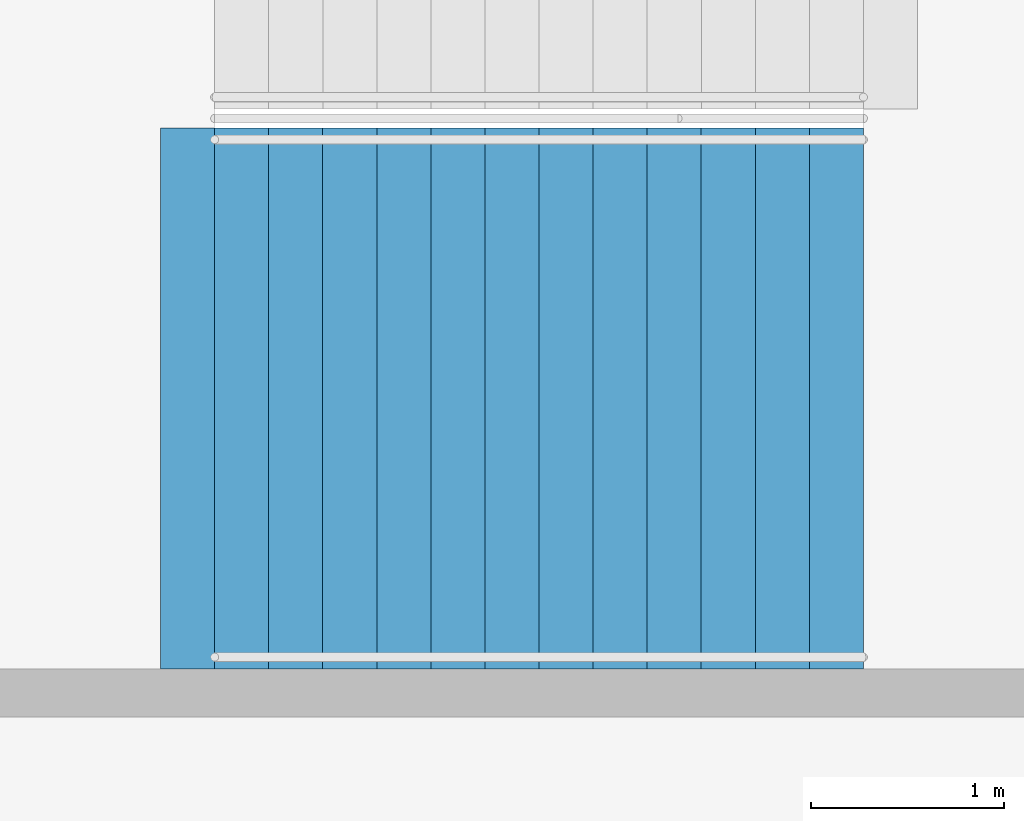
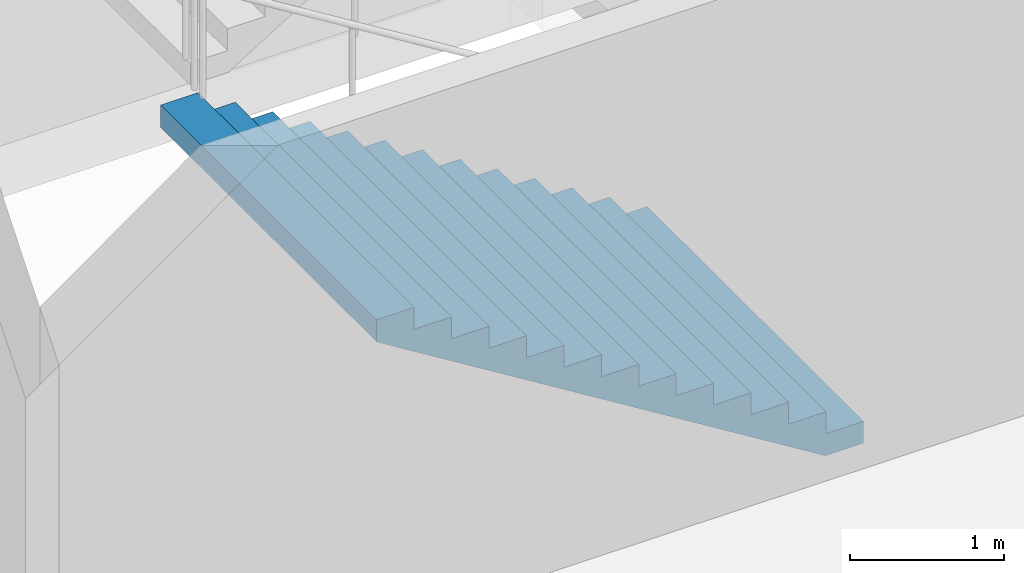
# One storey, part 141 of 249: 1 stair flight, 1 element without a shape of its own.
"""IFC4 building model written with IfcOpenShell, lengths in metres."""

from ifc_helpers import new_model, si_unit, direction, frame, origin, place, context, subcontext, project, spatial, faceted_brep, material, type_object, element, aggregate, save


model = new_model("IFC4")

# Units and contexts
model_context = context("Model", 3, precision=1e-05, world=origin(), true_north=direction((0.0, 1.0)))
body_context = subcontext(model_context, "Body", "Model", "MODEL_VIEW")
ifc_project = project(units=[si_unit("LENGTHUNIT", "METRE"), si_unit("AREAUNIT", "SQUARE_METRE"), si_unit("VOLUMEUNIT", "CUBIC_METRE"), si_unit("PLANEANGLEUNIT", "RADIAN"), si_unit("MASSUNIT", "GRAM", prefix="KILO")], contexts=[model_context])

# Site, building, storey
site_placement = place(None, origin())
site = spatial("IfcSite", under=ifc_project, at=site_placement, CompositionType="ELEMENT")
building_placement = place(site_placement, origin())
building = spatial("IfcBuilding", under=site, at=building_placement, Name="Ogive Plaza Stadium", CompositionType="ELEMENT")
storey_placement = place(building_placement, frame((0.0, 0.0, 13.5)))
storey = spatial("IfcBuildingStorey", under=building, at=storey_placement, Name="L03", CompositionType="ELEMENT", Elevation=13.5)

# Stair, stair flight
ifc_material_1 = material(Name="Concrete C40/50", Category="concrete")
stair_type = type_object("IfcStairType", Name="Exit stair", PredefinedType="STRAIGHT_RUN_STAIR", material=ifc_material_1)
stair_placement = place(storey_placement, origin())
stair = element("IfcStair", 1, at=stair_placement, inside=storey, type_object=stair_type, Name="Exit stair ST22B L03 to L04", PredefinedType="STRAIGHT_RUN_STAIR")
ifc_material_2 = material(Name="Concrete C40/50", Category="concrete")
stair_flight_type = type_object("IfcStairFlightType", Name="Exit stair flight", PredefinedType="STRAIGHT", material=ifc_material_2)
stair_flight_placement = place(storey_placement, frame((-76.35009765625, -41.925048828125, 0.0), z_axis=(0.0, 0.0, 1.0), x_axis=(-1.0, 0.0, 0.0)))
stair_flight = element("IfcStairFlight", 2, at=stair_flight_placement, type_object=stair_flight_type, Name="ST22B flight 1", NumberOfRisers=13, NumberOfTreads=12, PredefinedType="STRAIGHT", RiserHeight=0.173076923, TreadLength=0.28, context=body_context, shape_type="Brep", body=[
    faceted_brep([(0.28515625, -1.39990234375, 0.0), (3.639892578125, -1.39990234375, 2.07373046875), (3.639892578125, -1.39990234375, 2.25), (3.360107421875, -1.39990234375, 2.25), (3.360107421875, -1.39990234375, 2.076904296875), (3.080078125, -1.39990234375, 2.076904296875), (3.080078125, -1.39990234375, 1.90380859375), (2.800048828125, -1.39990234375, 1.90380859375), (2.800048828125, -1.39990234375, 1.730712890625), (2.52001953125, -1.39990234375, 1.730712890625), (2.52001953125, -1.39990234375, 1.5576171875), (2.239990234375, -1.39990234375, 1.5576171875), (2.239990234375, -1.39990234375, 1.384521484375), (1.9599609375, -1.39990234375, 1.384521484375), (1.9599609375, -1.39990234375, 1.21142578125), (1.679931640625, -1.39990234375, 1.21142578125), (1.679931640625, -1.39990234375, 1.03857421875), (1.39990234375, -1.39990234375, 1.03857421875), (1.39990234375, -1.39990234375, 0.865478515625), (1.1201171875, -1.39990234375, 0.865478515625), (1.1201171875, -1.39990234375, 0.6923828125), (0.840087890625, -1.39990234375, 0.6923828125), (0.840087890625, -1.39990234375, 0.519287109375), (0.56005859375, -1.39990234375, 0.519287109375), (0.56005859375, -1.39990234375, 0.34619140625), (0.280029296875, -1.39990234375, 0.34619140625), (0.280029296875, -1.39990234375, 0.173095703125), (0.0, -1.39990234375, 0.173095703125), (0.0, -1.39990234375, 0.0), (0.0, 1.39990234375, 0.0), (0.0, 1.39990234375, 0.173095703125), (0.280029296875, 1.39990234375, 0.173095703125), (0.280029296875, 1.39990234375, 0.34619140625), (0.56005859375, 1.39990234375, 0.34619140625), (0.56005859375, 1.39990234375, 0.519287109375), (0.840087890625, 1.39990234375, 0.519287109375), (0.840087890625, 1.39990234375, 0.6923828125), (1.1201171875, 1.39990234375, 0.6923828125), (1.1201171875, 1.39990234375, 0.865478515625), (1.39990234375, 1.39990234375, 0.865478515625), (1.39990234375, 1.39990234375, 1.03857421875), (1.679931640625, 1.39990234375, 1.03857421875), (1.679931640625, 1.39990234375, 1.21142578125), (1.9599609375, 1.39990234375, 1.21142578125), (1.9599609375, 1.39990234375, 1.384521484375), (2.239990234375, 1.39990234375, 1.384521484375), (2.239990234375, 1.39990234375, 1.5576171875), (2.52001953125, 1.39990234375, 1.5576171875), (2.52001953125, 1.39990234375, 1.730712890625), (2.800048828125, 1.39990234375, 1.730712890625), (2.800048828125, 1.39990234375, 1.90380859375), (3.080078125, 1.39990234375, 1.90380859375), (3.080078125, 1.39990234375, 2.076904296875), (3.360107421875, 1.39990234375, 2.076904296875), (3.360107421875, 1.39990234375, 2.25), (3.639892578125, 1.39990234375, 2.25), (3.639892578125, 1.39990234375, 2.07373046875), (0.28515625, 1.39990234375, 0.0), (0.28515625, -1.0888671875, 0.0), (3.639892578125, -1.0888671875, 2.07373046875), (0.28515625, -0.77783203125, 0.0), (3.639892578125, -0.77783203125, 2.07373046875), (0.28515625, -0.466796875, 0.0), (3.639892578125, -0.466796875, 2.07373046875), (0.28515625, -0.155517578125, 0.0), (3.639892578125, -0.155517578125, 2.07373046875), (0.28515625, 0.155517578125, 0.0), (3.639892578125, 0.155517578125, 2.07373046875), (0.28515625, 0.466796875, 0.0), (3.639892578125, 0.466796875, 2.07373046875), (0.28515625, 0.77783203125, 0.0), (3.639892578125, 0.77783203125, 2.07373046875), (0.28515625, 1.0888671875, 0.0), (3.639892578125, 1.0888671875, 2.07373046875), (3.639892578125, -1.0888671875, 2.25), (3.639892578125, -0.77783203125, 2.25), (3.639892578125, -0.466796875, 2.25), (3.639892578125, -0.155517578125, 2.25), (3.639892578125, 0.155517578125, 2.25), (3.639892578125, 0.466796875, 2.25), (3.639892578125, 0.77783203125, 2.25), (3.639892578125, 1.0888671875, 2.25), (3.360107421875, -1.0888671875, 2.25), (3.360107421875, -0.77783203125, 2.25), (3.360107421875, -0.466796875, 2.25), (3.360107421875, -0.155517578125, 2.25), (3.360107421875, 0.155517578125, 2.25), (3.360107421875, 0.466796875, 2.25), (3.360107421875, 0.77783203125, 2.25), (3.360107421875, 1.0888671875, 2.25), (3.360107421875, -1.0888671875, 2.076904296875), (3.360107421875, -0.77783203125, 2.076904296875), (3.360107421875, -0.466796875, 2.076904296875), (3.360107421875, -0.155517578125, 2.076904296875), (3.360107421875, 0.155517578125, 2.076904296875), (3.360107421875, 0.466796875, 2.076904296875), (3.360107421875, 0.77783203125, 2.076904296875), (3.360107421875, 1.0888671875, 2.076904296875), (3.080078125, -1.0888671875, 2.076904296875), (3.080078125, -0.77783203125, 2.076904296875), (3.080078125, -0.466796875, 2.076904296875), (3.080078125, -0.155517578125, 2.076904296875), (3.080078125, 0.155517578125, 2.076904296875), (3.080078125, 0.466796875, 2.076904296875), (3.080078125, 0.77783203125, 2.076904296875), (3.080078125, 1.0888671875, 2.076904296875), (3.080078125, -1.0888671875, 1.90380859375), (3.080078125, -0.77783203125, 1.90380859375), (3.080078125, -0.466796875, 1.90380859375), (3.080078125, -0.155517578125, 1.90380859375), (3.080078125, 0.155517578125, 1.90380859375), (3.080078125, 0.466796875, 1.90380859375), (3.080078125, 0.77783203125, 1.90380859375), (3.080078125, 1.0888671875, 1.90380859375), (2.800048828125, -1.0888671875, 1.90380859375), (2.800048828125, -0.77783203125, 1.90380859375), (2.800048828125, -0.466796875, 1.90380859375), (2.800048828125, -0.155517578125, 1.90380859375), (2.800048828125, 0.155517578125, 1.90380859375), (2.800048828125, 0.466796875, 1.90380859375), (2.800048828125, 0.77783203125, 1.90380859375), (2.800048828125, 1.0888671875, 1.90380859375), (2.800048828125, -1.0888671875, 1.730712890625), (2.800048828125, -0.77783203125, 1.730712890625), (2.800048828125, -0.466796875, 1.730712890625), (2.800048828125, -0.155517578125, 1.730712890625), (2.800048828125, 0.155517578125, 1.730712890625), (2.800048828125, 0.466796875, 1.730712890625), (2.800048828125, 0.77783203125, 1.730712890625), (2.800048828125, 1.0888671875, 1.730712890625), (2.52001953125, -1.0888671875, 1.730712890625), (2.52001953125, -0.77783203125, 1.730712890625), (2.52001953125, -0.466796875, 1.730712890625), (2.52001953125, -0.155517578125, 1.730712890625), (2.52001953125, 0.155517578125, 1.730712890625), (2.52001953125, 0.466796875, 1.730712890625), (2.52001953125, 0.77783203125, 1.730712890625), (2.52001953125, 1.0888671875, 1.730712890625), (2.52001953125, -1.0888671875, 1.5576171875), (2.52001953125, -0.77783203125, 1.5576171875), (2.52001953125, -0.466796875, 1.5576171875), (2.52001953125, -0.155517578125, 1.5576171875), (2.52001953125, 0.155517578125, 1.5576171875), (2.52001953125, 0.466796875, 1.5576171875), (2.52001953125, 0.77783203125, 1.5576171875), (2.52001953125, 1.0888671875, 1.5576171875), (2.239990234375, -1.0888671875, 1.5576171875), (2.239990234375, -0.77783203125, 1.5576171875), (2.239990234375, -0.466796875, 1.5576171875), (2.239990234375, -0.155517578125, 1.5576171875), (2.239990234375, 0.155517578125, 1.5576171875), (2.239990234375, 0.466796875, 1.5576171875), (2.239990234375, 0.77783203125, 1.5576171875), (2.239990234375, 1.0888671875, 1.5576171875), (2.239990234375, -1.0888671875, 1.384521484375), (2.239990234375, -0.77783203125, 1.384521484375), (2.239990234375, -0.466796875, 1.384521484375), (2.239990234375, -0.155517578125, 1.384521484375), (2.239990234375, 0.155517578125, 1.384521484375), (2.239990234375, 0.466796875, 1.384521484375), (2.239990234375, 0.77783203125, 1.384521484375), (2.239990234375, 1.0888671875, 1.384521484375), (1.9599609375, -1.0888671875, 1.384521484375), (1.9599609375, -0.77783203125, 1.384521484375), (1.9599609375, -0.466796875, 1.384521484375), (1.9599609375, -0.155517578125, 1.384521484375), (1.9599609375, 0.155517578125, 1.384521484375), (1.9599609375, 0.466796875, 1.384521484375), (1.9599609375, 0.77783203125, 1.384521484375), (1.9599609375, 1.0888671875, 1.384521484375), (1.9599609375, -1.0888671875, 1.21142578125), (1.9599609375, -0.77783203125, 1.21142578125), (1.9599609375, -0.466796875, 1.21142578125), (1.9599609375, -0.155517578125, 1.21142578125), (1.9599609375, 0.155517578125, 1.21142578125), (1.9599609375, 0.466796875, 1.21142578125), (1.9599609375, 0.77783203125, 1.21142578125), (1.9599609375, 1.0888671875, 1.21142578125), (1.679931640625, -1.0888671875, 1.21142578125), (1.679931640625, -0.77783203125, 1.21142578125), (1.679931640625, -0.466796875, 1.21142578125), (1.679931640625, -0.155517578125, 1.21142578125), (1.679931640625, 0.155517578125, 1.21142578125), (1.679931640625, 0.466796875, 1.21142578125), (1.679931640625, 0.77783203125, 1.21142578125), (1.679931640625, 1.0888671875, 1.21142578125), (1.679931640625, -1.0888671875, 1.03857421875), (1.679931640625, -0.77783203125, 1.03857421875), (1.679931640625, -0.466796875, 1.03857421875), (1.679931640625, -0.155517578125, 1.03857421875), (1.679931640625, 0.155517578125, 1.03857421875), (1.679931640625, 0.466796875, 1.03857421875), (1.679931640625, 0.77783203125, 1.03857421875), (1.679931640625, 1.0888671875, 1.03857421875), (1.39990234375, -1.0888671875, 1.03857421875), (1.39990234375, -0.77783203125, 1.03857421875), (1.39990234375, -0.466796875, 1.03857421875), (1.39990234375, -0.155517578125, 1.03857421875), (1.39990234375, 0.155517578125, 1.03857421875), (1.39990234375, 0.466796875, 1.03857421875), (1.39990234375, 0.77783203125, 1.03857421875), (1.39990234375, 1.0888671875, 1.03857421875), (1.39990234375, -1.0888671875, 0.865478515625), (1.39990234375, -0.77783203125, 0.865478515625), (1.39990234375, -0.466796875, 0.865478515625), (1.39990234375, -0.155517578125, 0.865478515625), (1.39990234375, 0.155517578125, 0.865478515625), (1.39990234375, 0.466796875, 0.865478515625), (1.39990234375, 0.77783203125, 0.865478515625), (1.39990234375, 1.0888671875, 0.865478515625), (1.1201171875, -1.0888671875, 0.865478515625), (1.1201171875, -0.77783203125, 0.865478515625), (1.1201171875, -0.466796875, 0.865478515625), (1.1201171875, -0.155517578125, 0.865478515625), (1.1201171875, 0.155517578125, 0.865478515625), (1.1201171875, 0.466796875, 0.865478515625), (1.1201171875, 0.77783203125, 0.865478515625), (1.1201171875, 1.0888671875, 0.865478515625), (1.1201171875, -1.0888671875, 0.6923828125), (1.1201171875, -0.77783203125, 0.6923828125), (1.1201171875, -0.466796875, 0.6923828125), (1.1201171875, -0.155517578125, 0.6923828125), (1.1201171875, 0.155517578125, 0.6923828125), (1.1201171875, 0.466796875, 0.6923828125), (1.1201171875, 0.77783203125, 0.6923828125), (1.1201171875, 1.0888671875, 0.6923828125), (0.840087890625, -1.0888671875, 0.6923828125), (0.840087890625, -0.77783203125, 0.6923828125), (0.840087890625, -0.466796875, 0.6923828125), (0.840087890625, -0.155517578125, 0.6923828125), (0.840087890625, 0.155517578125, 0.6923828125), (0.840087890625, 0.466796875, 0.6923828125), (0.840087890625, 0.77783203125, 0.6923828125), (0.840087890625, 1.0888671875, 0.6923828125), (0.840087890625, -1.0888671875, 0.519287109375), (0.840087890625, -0.77783203125, 0.519287109375), (0.840087890625, -0.466796875, 0.519287109375), (0.840087890625, -0.155517578125, 0.519287109375), (0.840087890625, 0.155517578125, 0.519287109375), (0.840087890625, 0.466796875, 0.519287109375), (0.840087890625, 0.77783203125, 0.519287109375), (0.840087890625, 1.0888671875, 0.519287109375), (0.56005859375, -1.0888671875, 0.519287109375), (0.56005859375, -0.77783203125, 0.519287109375), (0.56005859375, -0.466796875, 0.519287109375), (0.56005859375, -0.155517578125, 0.519287109375), (0.56005859375, 0.155517578125, 0.519287109375), (0.56005859375, 0.466796875, 0.519287109375), (0.56005859375, 0.77783203125, 0.519287109375), (0.56005859375, 1.0888671875, 0.519287109375), (0.56005859375, -1.0888671875, 0.34619140625), (0.56005859375, -0.77783203125, 0.34619140625), (0.56005859375, -0.466796875, 0.34619140625), (0.56005859375, -0.155517578125, 0.34619140625), (0.56005859375, 0.155517578125, 0.34619140625), (0.56005859375, 0.466796875, 0.34619140625), (0.56005859375, 0.77783203125, 0.34619140625), (0.56005859375, 1.0888671875, 0.34619140625), (0.280029296875, -1.0888671875, 0.34619140625), (0.280029296875, -0.77783203125, 0.34619140625), (0.280029296875, -0.466796875, 0.34619140625), (0.280029296875, -0.155517578125, 0.34619140625), (0.280029296875, 0.155517578125, 0.34619140625), (0.280029296875, 0.466796875, 0.34619140625), (0.280029296875, 0.77783203125, 0.34619140625), (0.280029296875, 1.0888671875, 0.34619140625), (0.280029296875, -1.0888671875, 0.173095703125), (0.280029296875, -0.77783203125, 0.173095703125), (0.280029296875, -0.466796875, 0.173095703125), (0.280029296875, -0.155517578125, 0.173095703125), (0.280029296875, 0.155517578125, 0.173095703125), (0.280029296875, 0.466796875, 0.173095703125), (0.280029296875, 0.77783203125, 0.173095703125), (0.280029296875, 1.0888671875, 0.173095703125), (0.0, -1.0888671875, 0.173095703125), (0.0, -0.77783203125, 0.173095703125), (0.0, -0.466796875, 0.173095703125), (0.0, -0.155517578125, 0.173095703125), (0.0, 0.155517578125, 0.173095703125), (0.0, 0.466796875, 0.173095703125), (0.0, 0.77783203125, 0.173095703125), (0.0, 1.0888671875, 0.173095703125), (0.0, -1.0888671875, 0.0), (0.0, -0.77783203125, 0.0), (0.0, -0.466796875, 0.0), (0.0, -0.155517578125, 0.0), (0.0, 0.155517578125, 0.0), (0.0, 0.466796875, 0.0), (0.0, 0.77783203125, 0.0), (0.0, 1.0888671875, 0.0)], [[[0, 1, 2, 3, 4, 5, 6, 7, 8, 9, 10, 11, 12, 13, 14, 15, 16, 17, 18, 19, 20, 21, 22, 23, 24, 25, 26, 27, 28]], [[29, 30, 31, 32, 33, 34, 35, 36, 37, 38, 39, 40, 41, 42, 43, 44, 45, 46, 47, 48, 49, 50, 51, 52, 53, 54, 55, 56, 57]], [[0, 58, 59, 1]], [[58, 60, 61, 59]], [[60, 62, 63, 61]], [[62, 64, 65, 63]], [[64, 66, 67, 65]], [[66, 68, 69, 67]], [[68, 70, 71, 69]], [[70, 72, 73, 71]], [[72, 57, 56, 73]], [[1, 59, 74, 2]], [[59, 61, 75, 74]], [[61, 63, 76, 75]], [[63, 65, 77, 76]], [[65, 67, 78, 77]], [[67, 69, 79, 78]], [[69, 71, 80, 79]], [[71, 73, 81, 80]], [[73, 56, 55, 81]], [[2, 74, 82, 3]], [[74, 75, 83, 82]], [[75, 76, 84, 83]], [[76, 77, 85, 84]], [[77, 78, 86, 85]], [[78, 79, 87, 86]], [[79, 80, 88, 87]], [[80, 81, 89, 88]], [[81, 55, 54, 89]], [[3, 82, 90, 4]], [[82, 83, 91, 90]], [[83, 84, 92, 91]], [[84, 85, 93, 92]], [[85, 86, 94, 93]], [[86, 87, 95, 94]], [[87, 88, 96, 95]], [[88, 89, 97, 96]], [[89, 54, 53, 97]], [[4, 90, 98, 5]], [[90, 91, 99, 98]], [[91, 92, 100, 99]], [[92, 93, 101, 100]], [[93, 94, 102, 101]], [[94, 95, 103, 102]], [[95, 96, 104, 103]], [[96, 97, 105, 104]], [[97, 53, 52, 105]], [[5, 98, 106, 6]], [[98, 99, 107, 106]], [[99, 100, 108, 107]], [[100, 101, 109, 108]], [[101, 102, 110, 109]], [[102, 103, 111, 110]], [[103, 104, 112, 111]], [[104, 105, 113, 112]], [[105, 52, 51, 113]], [[6, 106, 114, 7]], [[106, 107, 115, 114]], [[107, 108, 116, 115]], [[108, 109, 117, 116]], [[109, 110, 118, 117]], [[110, 111, 119, 118]], [[111, 112, 120, 119]], [[112, 113, 121, 120]], [[113, 51, 50, 121]], [[7, 114, 122, 8]], [[114, 115, 123, 122]], [[115, 116, 124, 123]], [[116, 117, 125, 124]], [[117, 118, 126, 125]], [[118, 119, 127, 126]], [[119, 120, 128, 127]], [[120, 121, 129, 128]], [[121, 50, 49, 129]], [[8, 122, 130, 9]], [[122, 123, 131, 130]], [[123, 124, 132, 131]], [[124, 125, 133, 132]], [[125, 126, 134, 133]], [[126, 127, 135, 134]], [[127, 128, 136, 135]], [[128, 129, 137, 136]], [[129, 49, 48, 137]], [[9, 130, 138, 10]], [[130, 131, 139, 138]], [[131, 132, 140, 139]], [[132, 133, 141, 140]], [[133, 134, 142, 141]], [[134, 135, 143, 142]], [[135, 136, 144, 143]], [[136, 137, 145, 144]], [[137, 48, 47, 145]], [[10, 138, 146, 11]], [[138, 139, 147, 146]], [[139, 140, 148, 147]], [[140, 141, 149, 148]], [[141, 142, 150, 149]], [[142, 143, 151, 150]], [[143, 144, 152, 151]], [[144, 145, 153, 152]], [[145, 47, 46, 153]], [[11, 146, 154, 12]], [[146, 147, 155, 154]], [[147, 148, 156, 155]], [[148, 149, 157, 156]], [[149, 150, 158, 157]], [[150, 151, 159, 158]], [[151, 152, 160, 159]], [[152, 153, 161, 160]], [[153, 46, 45, 161]], [[12, 154, 162, 13]], [[154, 155, 163, 162]], [[155, 156, 164, 163]], [[156, 157, 165, 164]], [[157, 158, 166, 165]], [[158, 159, 167, 166]], [[159, 160, 168, 167]], [[160, 161, 169, 168]], [[161, 45, 44, 169]], [[13, 162, 170, 14]], [[162, 163, 171, 170]], [[163, 164, 172, 171]], [[164, 165, 173, 172]], [[165, 166, 174, 173]], [[166, 167, 175, 174]], [[167, 168, 176, 175]], [[168, 169, 177, 176]], [[169, 44, 43, 177]], [[14, 170, 178, 15]], [[170, 171, 179, 178]], [[171, 172, 180, 179]], [[172, 173, 181, 180]], [[173, 174, 182, 181]], [[174, 175, 183, 182]], [[175, 176, 184, 183]], [[176, 177, 185, 184]], [[177, 43, 42, 185]], [[15, 178, 186, 16]], [[178, 179, 187, 186]], [[179, 180, 188, 187]], [[180, 181, 189, 188]], [[181, 182, 190, 189]], [[182, 183, 191, 190]], [[183, 184, 192, 191]], [[184, 185, 193, 192]], [[185, 42, 41, 193]], [[16, 186, 194, 17]], [[186, 187, 195, 194]], [[187, 188, 196, 195]], [[188, 189, 197, 196]], [[189, 190, 198, 197]], [[190, 191, 199, 198]], [[191, 192, 200, 199]], [[192, 193, 201, 200]], [[193, 41, 40, 201]], [[17, 194, 202, 18]], [[194, 195, 203, 202]], [[195, 196, 204, 203]], [[196, 197, 205, 204]], [[197, 198, 206, 205]], [[198, 199, 207, 206]], [[199, 200, 208, 207]], [[200, 201, 209, 208]], [[201, 40, 39, 209]], [[18, 202, 210, 19]], [[202, 203, 211, 210]], [[203, 204, 212, 211]], [[204, 205, 213, 212]], [[205, 206, 214, 213]], [[206, 207, 215, 214]], [[207, 208, 216, 215]], [[208, 209, 217, 216]], [[209, 39, 38, 217]], [[19, 210, 218, 20]], [[210, 211, 219, 218]], [[211, 212, 220, 219]], [[212, 213, 221, 220]], [[213, 214, 222, 221]], [[214, 215, 223, 222]], [[215, 216, 224, 223]], [[216, 217, 225, 224]], [[217, 38, 37, 225]], [[20, 218, 226, 21]], [[218, 219, 227, 226]], [[219, 220, 228, 227]], [[220, 221, 229, 228]], [[221, 222, 230, 229]], [[222, 223, 231, 230]], [[223, 224, 232, 231]], [[224, 225, 233, 232]], [[225, 37, 36, 233]], [[21, 226, 234, 22]], [[226, 227, 235, 234]], [[227, 228, 236, 235]], [[228, 229, 237, 236]], [[229, 230, 238, 237]], [[230, 231, 239, 238]], [[231, 232, 240, 239]], [[232, 233, 241, 240]], [[233, 36, 35, 241]], [[22, 234, 242, 23]], [[234, 235, 243, 242]], [[235, 236, 244, 243]], [[236, 237, 245, 244]], [[237, 238, 246, 245]], [[238, 239, 247, 246]], [[239, 240, 248, 247]], [[240, 241, 249, 248]], [[241, 35, 34, 249]], [[23, 242, 250, 24]], [[242, 243, 251, 250]], [[243, 244, 252, 251]], [[244, 245, 253, 252]], [[245, 246, 254, 253]], [[246, 247, 255, 254]], [[247, 248, 256, 255]], [[248, 249, 257, 256]], [[249, 34, 33, 257]], [[24, 250, 258, 25]], [[250, 251, 259, 258]], [[251, 252, 260, 259]], [[252, 253, 261, 260]], [[253, 254, 262, 261]], [[254, 255, 263, 262]], [[255, 256, 264, 263]], [[256, 257, 265, 264]], [[257, 33, 32, 265]], [[25, 258, 266, 26]], [[258, 259, 267, 266]], [[259, 260, 268, 267]], [[260, 261, 269, 268]], [[261, 262, 270, 269]], [[262, 263, 271, 270]], [[263, 264, 272, 271]], [[264, 265, 273, 272]], [[265, 32, 31, 273]], [[26, 266, 274, 27]], [[266, 267, 275, 274]], [[267, 268, 276, 275]], [[268, 269, 277, 276]], [[269, 270, 278, 277]], [[270, 271, 279, 278]], [[271, 272, 280, 279]], [[272, 273, 281, 280]], [[273, 31, 30, 281]], [[27, 274, 282, 28]], [[274, 275, 283, 282]], [[275, 276, 284, 283]], [[276, 277, 285, 284]], [[277, 278, 286, 285]], [[278, 279, 287, 286]], [[279, 280, 288, 287]], [[280, 281, 289, 288]], [[281, 30, 29, 289]], [[28, 282, 58, 0]], [[282, 283, 60, 58]], [[283, 284, 62, 60]], [[284, 285, 64, 62]], [[285, 286, 66, 64]], [[286, 287, 68, 66]], [[287, 288, 70, 68]], [[288, 289, 72, 70]], [[289, 29, 57, 72]]]),
])
aggregate(stair, [stair_flight])

save(model, "model.ifc")
